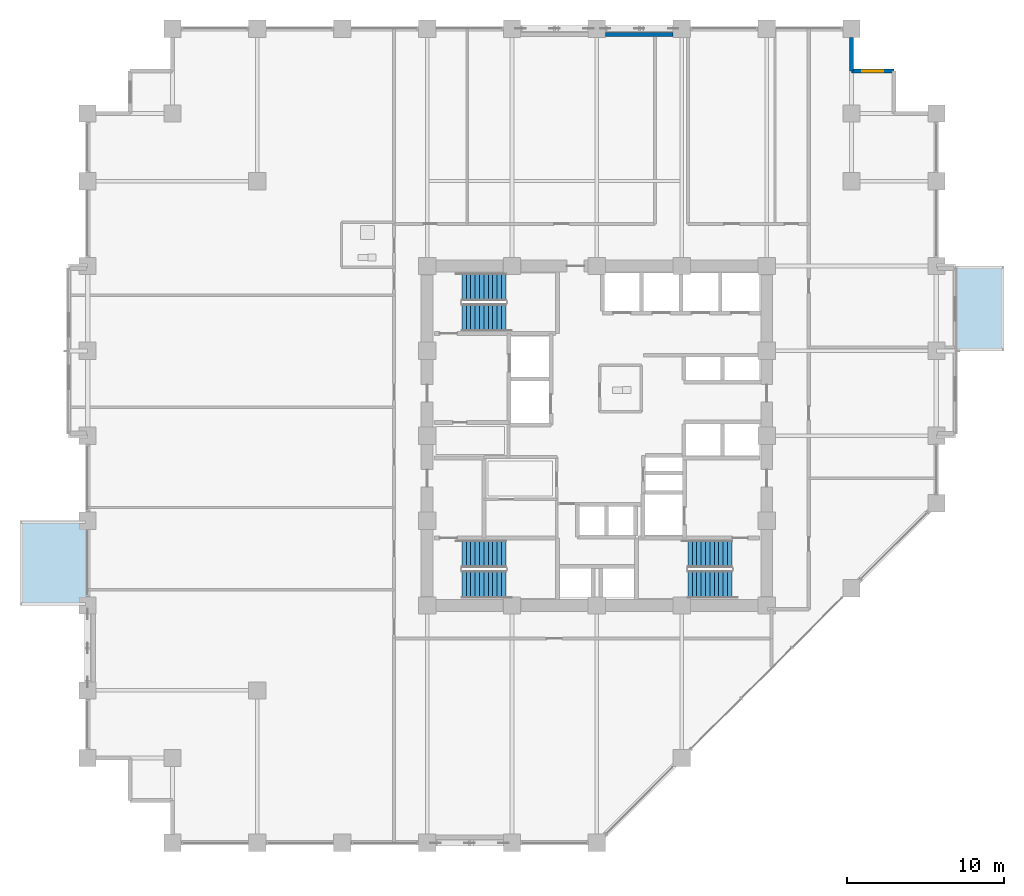
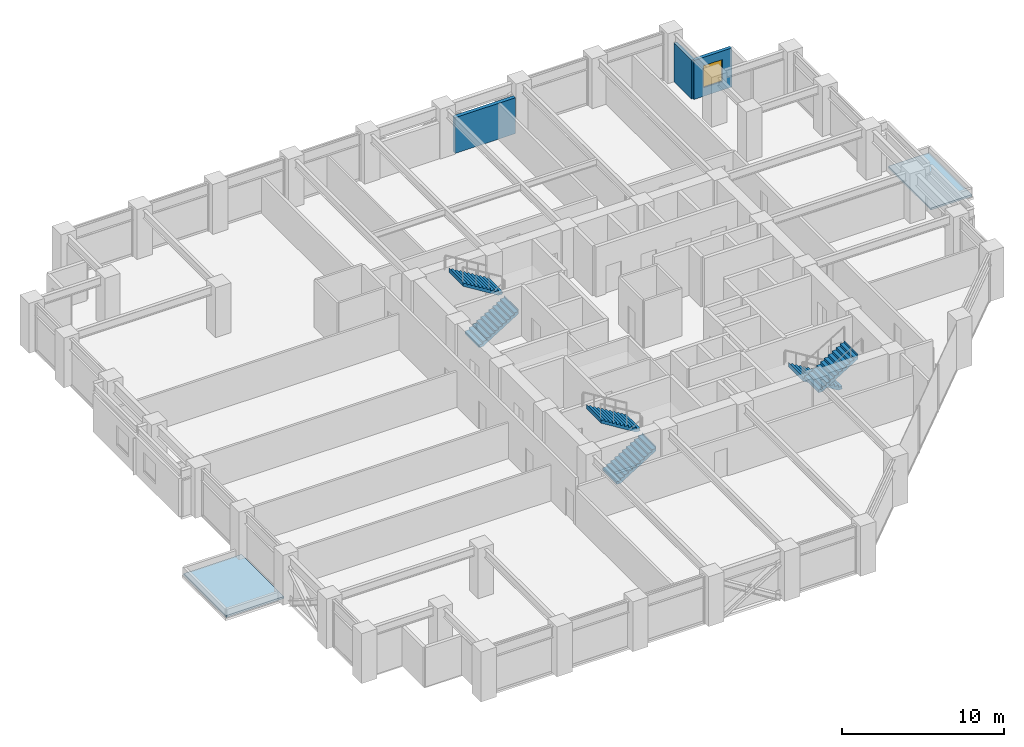
# One storey, part 22 of 25: 6 stair flights, 3 walls, 2 roofs, 1 window, 1 opening, 3 elements without a shape of their own.
"""IFC4 building model written with IfcOpenShell, lengths in metres."""

import ifcopenshell
import ifcopenshell.guid

model = None  # the IFC model being written
_history = None  # IfcOwnerHistory: only IFC2X3 demands one
_inside = {}  # id of a spatial element -> (the spatial element, [elements in it])
_under = {}  # id of a project, library or spatial element -> (it, [spatial elements below it])
_declared = {}  # id of a project -> (the project, [libraries it declares])
_typed = {}  # id of a type object -> (the type object, [elements of that type])
_made_of = {}  # id of a material, layer set ... -> (it, [elements and type objects made of it])


def new_model(schema):
    """Start an empty IFC model of exactly this schema.

    Asked for "IFC4X3", IfcOpenShell would pick the latest addendum, in which some entities
    have other attributes; the version numbers below select the first issue.
    IFC2X3 requires an IfcOwnerHistory on every rooted entity: one is made here for all.
    """
    global model, _history
    if schema == "IFC4X3":
        model = ifcopenshell.file(schema_version=(4, 3, 0, 0))
    else:
        model = ifcopenshell.file(schema=schema)
    _inside.clear()
    _under.clear()
    _declared.clear()
    _typed.clear()
    _made_of.clear()
    _history = None
    if model.schema == "IFC2X3":
        org = make("IfcOrganization", Name="unknown")
        user = make(
            "IfcPersonAndOrganization",
            ThePerson=make("IfcPerson", FamilyName="unknown"),
            TheOrganization=org,
        )
        app = make(
            "IfcApplication",
            ApplicationDeveloper=org,
            Version="unknown",
            ApplicationFullName="unknown",
            ApplicationIdentifier="unknown",
        )
        _history = make(
            "IfcOwnerHistory",
            OwningUser=user,
            OwningApplication=app,
            ChangeAction="ADDED",
            CreationDate=0,
        )
    return model


def make(cls, **values):
    """One entity of the class cls with the attributes given. An attribute that is None is left unset."""
    return model.create_entity(
        cls, **{name: value for name, value in values.items() if value is not None}
    )


def rooted(cls, **values):
    """An entity with a GlobalId (a new one), such as an element, a storey or a relation."""
    return make(cls, GlobalId=ifcopenshell.guid.new(), OwnerHistory=_history, **values)


def si_unit(unit_type, name, prefix=None):
    """IfcSIUnit, for example si_unit("LENGTHUNIT", "METRE", prefix="MILLI")."""
    return make("IfcSIUnit", UnitType=unit_type, Prefix=prefix, Name=name)


def assignment(units):
    """IfcUnitAssignment: the units of a project."""
    return None if units is None else make("IfcUnitAssignment", Units=units)


def point(xyz):
    """IfcCartesianPoint."""
    return None if xyz is None else make("IfcCartesianPoint", Coordinates=xyz)


def direction(xyz):
    """IfcDirection."""
    return None if xyz is None else make("IfcDirection", DirectionRatios=xyz)


def frame(location, z_axis=None, x_axis=None):
    """IfcAxis2Placement3D, a coordinate frame: its origin and axes. An axis left out is left unset."""
    return make(
        "IfcAxis2Placement3D",
        Location=point(location),
        Axis=direction(z_axis),
        RefDirection=direction(x_axis),
    )


def frame_2d(location, x_axis=None):
    """IfcAxis2Placement2D, a coordinate frame in the plane: its origin and x axis."""
    return make(
        "IfcAxis2Placement2D", Location=point(location), RefDirection=direction(x_axis)
    )


def origin():
    """The frame at (0, 0, 0) with its axes left unset."""
    return frame((0.0, 0.0, 0.0))


def place(relative_to, where):
    """IfcLocalPlacement: puts the frame where relative to a parent placement (None: the world)."""
    return make(
        "IfcLocalPlacement", PlacementRelTo=relative_to, RelativePlacement=where
    )


def context(
    kind, dimensions, precision=None, world=None, true_north=None, identifier=None
):
    """IfcGeometricRepresentationContext, for example the 3D "Model" context."""
    return make(
        "IfcGeometricRepresentationContext",
        ContextIdentifier=identifier,
        ContextType=kind,
        CoordinateSpaceDimension=dimensions,
        Precision=precision,
        WorldCoordinateSystem=world,
        TrueNorth=true_north,
    )


def subcontext(parent, identifier, kind, view, scale=None):
    """IfcGeometricRepresentationSubContext, for example "Body" below "Model"."""
    return make(
        "IfcGeometricRepresentationSubContext",
        ContextIdentifier=identifier,
        ContextType=kind,
        ParentContext=parent,
        TargetScale=scale,
        TargetView=view,
    )


def project(units=None, contexts=None):
    """IfcProject with its units and contexts."""
    return rooted(
        "IfcProject",
        Name="project",
        RepresentationContexts=contexts,
        UnitsInContext=assignment(units),
    )


def spatial(cls, under=None, at=None, **own):
    """A site, building, storey or space (cls), placed at a placement, below another one or the project."""
    s = rooted(cls, ObjectPlacement=at, **own)
    if under is not None:
        _under.setdefault(under.id(), (under, []))[1].append(s)
    return s


def polyline(points):
    """IfcPolyline through the points."""
    return make("IfcPolyline", Points=[point(p) for p in points])


def profile(cls, at=None, kind="AREA", **sizes):
    """A parametric profile (cls). Its sizes go by their IFC names, for example OverallWidth=200.0."""
    return make(cls, ProfileType=kind, Position=at, **sizes)


def rectangle(**sizes):
    """IfcRectangleProfileDef."""
    return profile("IfcRectangleProfileDef", **sizes)


def outline(outer, holes=None, kind="AREA"):
    """IfcArbitraryClosedProfileDef: a profile drawn as a closed curve; with holes, ...WithVoids."""
    if holes is None:
        return make("IfcArbitraryClosedProfileDef", ProfileType=kind, OuterCurve=outer)
    return make(
        "IfcArbitraryProfileDefWithVoids",
        ProfileType=kind,
        OuterCurve=outer,
        InnerCurves=holes,
    )


def extrude(swept, where, along, depth):
    """IfcExtrudedAreaSolid: the profile swept, set in the frame where, extruded along a direction by depth."""
    return make(
        "IfcExtrudedAreaSolid",
        SweptArea=swept,
        Position=where,
        ExtrudedDirection=direction(along),
        Depth=depth,
    )


def shape(context_of_items, identifier, shape_type, items):
    """IfcShapeRepresentation: the items that make up one representation, for example the "Body"."""
    return make(
        "IfcShapeRepresentation",
        ContextOfItems=context_of_items,
        RepresentationIdentifier=identifier,
        RepresentationType=shape_type,
        Items=items,
    )


def material(Name=None, Category=None):
    """IfcMaterial."""
    return make("IfcMaterial", Name=Name, Category=Category)


def layer(
    of_material, thickness, ventilated=None, Name=None, Category=None, Priority=None
):
    """IfcMaterialLayer: one layer of a wall or slab, of a material (None: an air gap)."""
    return make(
        "IfcMaterialLayer",
        Material=of_material,
        LayerThickness=thickness,
        IsVentilated=ventilated,
        Name=Name,
        Category=Category,
        Priority=Priority,
    )


def layer_set(layers, Name=None):
    """IfcMaterialLayerSet."""
    return make("IfcMaterialLayerSet", MaterialLayers=layers, LayerSetName=Name)


def made_of(thing, what):
    """Note that an element or type object is made of a material, layer set ...; save() writes the relation."""
    if what is not None:
        _made_of.setdefault(what.id(), (what, []))[1].append(thing)
    return thing


def type_object(cls, material=None, **own):
    """A type object (cls), such as IfcWallType, which elements share."""
    return made_of(rooted(cls, **own), material)


def element(
    cls,
    number,
    at=None,
    inside=None,
    cuts=None,
    type_object=None,
    material=None,
    context=None,
    identifier="Body",
    shape_type=None,
    held_by="IfcProductDefinitionShape",
    body=None,
    shapes=None,
    **own,
):
    """One element of the class cls, such as IfcWall. Its Tag is "e" and its number.

    at: its placement. inside: the storey or other place that contains it. cuts: it is an
    opening in that element (IfcRelVoidsElement). A single representation is given by context,
    identifier, shape_type and body (its items); several are given by shapes. held_by: the class
    of the entity that holds the representations. save() writes the other relations.
    """
    e = rooted(cls, Tag="e%d" % number, ObjectPlacement=at, **own)
    if body is not None:
        shapes = [shape(context, identifier, shape_type, body)]
    if shapes is not None:
        e.Representation = make(held_by, Representations=shapes)
    if inside is not None:
        _inside.setdefault(inside.id(), (inside, []))[1].append(e)
    if cuts is not None:
        rooted(
            "IfcRelVoidsElement", RelatingBuildingElement=cuts, RelatedOpeningElement=e
        )
    if type_object is not None:
        _typed.setdefault(type_object.id(), (type_object, []))[1].append(e)
    return made_of(e, material)


def fill(opening, filler):
    """IfcRelFillsElement: the door or window that sits in an opening."""
    return rooted(
        "IfcRelFillsElement",
        RelatingOpeningElement=opening,
        RelatedBuildingElement=filler,
    )


def aggregate(whole, parts):
    """IfcRelAggregates: a whole, such as a stair, and the parts it consists of."""
    return rooted("IfcRelAggregates", RelatingObject=whole, RelatedObjects=parts)


def save(model, path):
    """Write the relations noted so far, then the file.

    IfcRelAggregates (storeys below a building ...), IfcRelContainedInSpatialStructure (elements
    in a storey), IfcRelDefinesByType, IfcRelAssociatesMaterial and IfcRelDeclares: one each for
    every whole, place, type object, material and project.
    """
    for whole, parts in _under.values():
        aggregate(whole, parts)
    for where, things in _inside.values():
        rooted(
            "IfcRelContainedInSpatialStructure",
            RelatedElements=things,
            RelatingStructure=where,
        )
    for kind, things in _typed.values():
        rooted("IfcRelDefinesByType", RelatedObjects=things, RelatingType=kind)
    for what, things in _made_of.values():
        rooted("IfcRelAssociatesMaterial", RelatedObjects=things, RelatingMaterial=what)
    for by, libraries in _declared.values():
        rooted("IfcRelDeclares", RelatingContext=by, RelatedDefinitions=libraries)
    model.write(path)


model = new_model("IFC4")

# Units and contexts
model_context = context("Model", 3, precision=1e-05, world=origin(), true_north=direction((0.0, 1.0)))
body_context = subcontext(model_context, "Body", "Model", "MODEL_VIEW")
ifc_project = project(units=[si_unit("LENGTHUNIT", "METRE"), si_unit("AREAUNIT", "SQUARE_METRE"), si_unit("VOLUMEUNIT", "CUBIC_METRE"), si_unit("PLANEANGLEUNIT", "RADIAN"), si_unit("MASSUNIT", "GRAM", prefix="KILO")], contexts=[model_context])

# Site, building, storey
site_placement = place(None, origin())
site = spatial("IfcSite", under=ifc_project, at=site_placement, CompositionType="ELEMENT")
building_placement = place(site_placement, origin())
building = spatial("IfcBuilding", under=site, at=building_placement, Name="Surkhivell Harbour Commons", CompositionType="ELEMENT")
storey_placement = place(building_placement, frame((0.0, 0.0, 94.5)))
storey = spatial("IfcBuildingStorey", under=building, at=storey_placement, Name="L24", CompositionType="ELEMENT", Elevation=94.5)

# Wall
ifc_material_1 = material(Name="Pale-metal insulated precast concrete C45/55", Category="concrete")
ifc_layer_1 = layer(ifc_material_1, 0.260009765625)
ifc_layer_set_1 = layer_set([ifc_layer_1], Name="Pale-metal insulated precast concrete C45/55")
wall_type_1 = type_object("IfcWallType", Name="WAL-EXT-MTL260", PredefinedType="STANDARD", material=ifc_layer_set_1)
wall_1_placement = place(storey_placement, frame((4.85205078125, 25.5400390625, 0.0), z_axis=(0.0, 0.0, 1.0), x_axis=(-1.0, 0.0, 0.0)))
element("IfcWall", 1, at=wall_1_placement, inside=storey, type_object=wall_type_1, Name="L24 Braced-Bay Insulated Spandrel Backing N2", PredefinedType="STANDARD", context=body_context, shape_type="SweptSolid", body=[
    extrude(rectangle(XDim=4.303955078125, YDim=0.260009765625, at=frame_2d((2.15185546875, 0.0))), origin(), (0.0, 0.0, 1.0), 2.698974609375),
])

# Wall, opening, window
ifc_material_2 = material(Name="Bronze-ochre cassette precast concrete C45/55", Category="concrete")
ifc_layer_2 = layer(ifc_material_2, 0.239990234375)
ifc_layer_set_2 = layer_set([ifc_layer_2], Name="Bronze-ochre cassette precast concrete C45/55")
wall_type_2 = type_object("IfcWallType", Name="WAL-EXT-OCH240", PredefinedType="STANDARD", material=ifc_layer_set_2)
wall_2_placement = place(storey_placement, frame((18.89990234375, 23.199951171875, 0.0), z_axis=(0.0, 0.0, 1.0), x_axis=(-1.0, 0.0, 0.0)))
wall_2 = element("IfcWall", 2, at=wall_2_placement, inside=storey, type_object=wall_type_2, Name="L24 Serrated Corner Facade Wall 05", PredefinedType="STANDARD", context=body_context, shape_type="SweptSolid", body=[
    extrude(rectangle(XDim=2.699951171875, YDim=0.239990234375, at=frame_2d((1.35009765625, 0.0))), origin(), (0.0, 0.0, 1.0), 2.93310546875),
])
opening_placement = place(wall_2_placement, frame((0.675048828125, 0.0, 0.64990234375)))
opening = element("IfcOpeningElement", 3, at=opening_placement, cuts=wall_2, Name="Opening WN-08", PredefinedType="OPENING", context=body_context, shape_type="SweptSolid", body=[
    extrude(rectangle(XDim=1.35009765625, YDim=1.64990234375, at=frame_2d((0.675048828125, 0.824951171875))), frame((0.0, 0.1298828125, 0.0), z_axis=(0.0, -1.0, 0.0), x_axis=(1.0, 0.0, 0.0)), (0.0, 0.0, 1.0), 0.260009765625),
])
ifc_material_3 = material(Name="Thermal-break aluminium frame and double low-E glazing", Category="aluminium")
window_type = type_object("IfcWindowType", Name="WIN-SER-1350x1650", PartitioningType="SINGLE_PANEL", PredefinedType="WINDOW", material=ifc_material_3)
window_placement = place(opening_placement, origin())
window = element("IfcWindow", 4, at=window_placement, inside=storey, type_object=window_type, Name="L24 Serrated Alcove Window 05", OverallHeight=1.64990234375, OverallWidth=1.35009765625, PartitioningType="SINGLE_PANEL", PredefinedType="WINDOW", context=body_context, shape_type="SweptSolid", body=[
    extrude(rectangle(XDim=1.35009765625, YDim=1.64990234375, at=frame_2d((0.675048828125, 0.824951171875))), frame((0.0, 0.030029296875, 0.0), z_axis=(0.0, -1.0, 0.0), x_axis=(1.0, 0.0, 0.0)), (0.0, 0.0, 1.0), 0.06005859375),
])
fill(opening, window)

# Wall
wall_3_placement = place(storey_placement, frame((16.199951171875, 23.199951171875, 0.0), z_axis=(0.0, 0.0, 1.0), x_axis=(0.0, 1.0, 0.0)))
element("IfcWall", 5, at=wall_3_placement, inside=storey, type_object=wall_type_2, Name="L24 Serrated Corner Facade Wall 06", PredefinedType="STANDARD", context=body_context, shape_type="SweptSolid", body=[
    extrude(rectangle(XDim=2.152099609375, YDim=0.239990234375, at=frame_2d((1.076171875, 0.0))), origin(), (0.0, 0.0, 1.0), 2.93310546875),
])

# Stair, stair flights
ifc_material_4 = material(Name="Precast concrete C45/55", Category="concrete")
stair_type = type_object("IfcStairType", Name="STR-DL-375", PredefinedType="HALF_TURN_STAIR", material=ifc_material_4)
stair_1_placement = place(storey_placement, origin())
stair_1 = element("IfcStair", 6, at=stair_1_placement, inside=storey, type_object=stair_type, Name="L24 Core Exit Stair ST1", PredefinedType="HALF_TURN_STAIR")
stair_flight_type = type_object("IfcStairFlightType", Name="STF-DL-375", PredefinedType="STRAIGHT", material=ifc_material_4)
stair_flight_1_placement = place(storey_placement, frame((-8.590087890625, 7.514892578125, 0.0), z_axis=(0.0, 0.0, 1.0), x_axis=(1.0, 0.0, 0.0)))
stair_flight_1 = element("IfcStairFlight", 7, at=stair_flight_1_placement, type_object=stair_flight_type, Name="ST1 flight 1", NumberOfRisers=11, NumberOfTreads=10, PredefinedType="STRAIGHT", RiserHeight=0.170454545, TreadLength=0.28, context=body_context, shape_type="SweptSolid", body=[
    extrude(outline(polyline([(-0.0029296875, -0.034912109375), (-0.0029296875, 0.0), (0.0, 0.0), (0.0, 0.17041015625), (0.280029296875, 0.17041015625), (0.280029296875, 0.3408203125), (0.56005859375, 0.3408203125), (0.56005859375, 0.511474609375), (0.840087890625, 0.511474609375), (0.840087890625, 0.681884765625), (1.1201171875, 0.681884765625), (1.1201171875, 0.852294921875), (1.39990234375, 0.852294921875), (1.39990234375, 1.022705078125), (1.679931640625, 1.022705078125), (1.679931640625, 1.193115234375), (1.9599609375, 1.193115234375), (1.9599609375, 1.363525390625), (2.239990234375, 1.363525390625), (2.239990234375, 1.5341796875), (2.52001953125, 1.5341796875), (2.52001953125, 1.70458984375), (2.800048828125, 1.70458984375), (2.800048828125, 1.875), (2.802978515625, 1.875), (2.802978515625, 1.529052734375), (0.288330078125, -0.034912109375), (-0.0029296875, -0.034912109375)])), frame((0.0, 0.875, 0.0), z_axis=(0.0, -1.0, 0.0), x_axis=(1.0, 0.0, 0.0)), (0.0, 0.0, 1.0), 1.75),
])
stair_flight_2_placement = place(storey_placement, frame((-5.7900390625, 9.465087890625, 1.875), z_axis=(0.0, 0.0, 1.0), x_axis=(-1.0, 0.0, 0.0)))
stair_flight_2 = element("IfcStairFlight", 8, at=stair_flight_2_placement, type_object=stair_flight_type, Name="ST1 flight 2", NumberOfRisers=11, NumberOfTreads=10, PredefinedType="STRAIGHT", RiserHeight=0.170454545, TreadLength=0.28, context=body_context, shape_type="SweptSolid", body=[
    extrude(outline(polyline([(-0.0029296875, -0.034912109375), (-0.0029296875, 0.0), (0.0, 0.0), (0.0, 0.17041015625), (0.280029296875, 0.17041015625), (0.280029296875, 0.3408203125), (0.56005859375, 0.3408203125), (0.56005859375, 0.511474609375), (0.840087890625, 0.511474609375), (0.840087890625, 0.681884765625), (1.1201171875, 0.681884765625), (1.1201171875, 0.852294921875), (1.39990234375, 0.852294921875), (1.39990234375, 1.022705078125), (1.679931640625, 1.022705078125), (1.679931640625, 1.193115234375), (1.9599609375, 1.193115234375), (1.9599609375, 1.363525390625), (2.239990234375, 1.363525390625), (2.239990234375, 1.5341796875), (2.52001953125, 1.5341796875), (2.52001953125, 1.70458984375), (2.800048828125, 1.70458984375), (2.800048828125, 1.875), (2.802978515625, 1.875), (2.802978515625, 1.529052734375), (0.288330078125, -0.034912109375), (-0.0029296875, -0.034912109375)])), frame((0.0, 0.875, 0.0), z_axis=(0.0, -1.0, 0.0), x_axis=(1.0, 0.0, 0.0)), (0.0, 0.0, 1.0), 1.75),
])
aggregate(stair_1, [stair_flight_1, stair_flight_2])

stair_2_placement = place(storey_placement, origin())
stair_2 = element("IfcStair", 9, at=stair_2_placement, inside=storey, type_object=stair_type, Name="L24 Core Exit Stair ST2", PredefinedType="HALF_TURN_STAIR")
stair_flight_3_placement = place(storey_placement, frame((8.590087890625, -7.514892578125, 0.0), z_axis=(0.0, 0.0, 1.0), x_axis=(-1.0, 0.0, 0.0)))
stair_flight_3 = element("IfcStairFlight", 10, at=stair_flight_3_placement, type_object=stair_flight_type, Name="ST2 flight 1", NumberOfRisers=11, NumberOfTreads=10, PredefinedType="STRAIGHT", RiserHeight=0.170454545, TreadLength=0.28, context=body_context, shape_type="SweptSolid", body=[
    extrude(outline(polyline([(-0.0029296875, -0.034912109375), (-0.0029296875, 0.0), (0.0, 0.0), (0.0, 0.17041015625), (0.280029296875, 0.17041015625), (0.280029296875, 0.3408203125), (0.56005859375, 0.3408203125), (0.56005859375, 0.511474609375), (0.840087890625, 0.511474609375), (0.840087890625, 0.681884765625), (1.1201171875, 0.681884765625), (1.1201171875, 0.852294921875), (1.39990234375, 0.852294921875), (1.39990234375, 1.022705078125), (1.679931640625, 1.022705078125), (1.679931640625, 1.193115234375), (1.9599609375, 1.193115234375), (1.9599609375, 1.363525390625), (2.239990234375, 1.363525390625), (2.239990234375, 1.5341796875), (2.52001953125, 1.5341796875), (2.52001953125, 1.70458984375), (2.800048828125, 1.70458984375), (2.800048828125, 1.875), (2.802978515625, 1.875), (2.802978515625, 1.529052734375), (0.288330078125, -0.034912109375), (-0.0029296875, -0.034912109375)])), frame((0.0, 0.875, 0.0), z_axis=(0.0, -1.0, 0.0), x_axis=(1.0, 0.0, 0.0)), (0.0, 0.0, 1.0), 1.75),
])
stair_flight_4_placement = place(storey_placement, frame((5.7900390625, -9.465087890625, 1.875), z_axis=(0.0, 0.0, 1.0), x_axis=(1.0, 0.0, 0.0)))
stair_flight_4 = element("IfcStairFlight", 11, at=stair_flight_4_placement, type_object=stair_flight_type, Name="ST2 flight 2", NumberOfRisers=11, NumberOfTreads=10, PredefinedType="STRAIGHT", RiserHeight=0.170454545, TreadLength=0.28, context=body_context, shape_type="SweptSolid", body=[
    extrude(outline(polyline([(-0.0029296875, -0.034912109375), (-0.0029296875, 0.0), (0.0, 0.0), (0.0, 0.17041015625), (0.280029296875, 0.17041015625), (0.280029296875, 0.3408203125), (0.56005859375, 0.3408203125), (0.56005859375, 0.511474609375), (0.840087890625, 0.511474609375), (0.840087890625, 0.681884765625), (1.1201171875, 0.681884765625), (1.1201171875, 0.852294921875), (1.39990234375, 0.852294921875), (1.39990234375, 1.022705078125), (1.679931640625, 1.022705078125), (1.679931640625, 1.193115234375), (1.9599609375, 1.193115234375), (1.9599609375, 1.363525390625), (2.239990234375, 1.363525390625), (2.239990234375, 1.5341796875), (2.52001953125, 1.5341796875), (2.52001953125, 1.70458984375), (2.800048828125, 1.70458984375), (2.800048828125, 1.875), (2.802978515625, 1.875), (2.802978515625, 1.529052734375), (0.288330078125, -0.034912109375), (-0.0029296875, -0.034912109375)])), frame((0.0, 0.875, 0.0), z_axis=(0.0, -1.0, 0.0), x_axis=(1.0, 0.0, 0.0)), (0.0, 0.0, 1.0), 1.75),
])
aggregate(stair_2, [stair_flight_3, stair_flight_4])

stair_3_placement = place(storey_placement, origin())
stair_3 = element("IfcStair", 12, at=stair_3_placement, inside=storey, type_object=stair_type, Name="L24 Core Exit Stair ST3", PredefinedType="HALF_TURN_STAIR")
stair_flight_5_placement = place(storey_placement, frame((-8.590087890625, -9.465087890625, 0.0), z_axis=(0.0, 0.0, 1.0), x_axis=(1.0, 0.0, 0.0)))
stair_flight_5 = element("IfcStairFlight", 13, at=stair_flight_5_placement, type_object=stair_flight_type, Name="ST3 flight 1", NumberOfRisers=11, NumberOfTreads=10, PredefinedType="STRAIGHT", RiserHeight=0.170454545, TreadLength=0.28, context=body_context, shape_type="SweptSolid", body=[
    extrude(outline(polyline([(-0.0029296875, -0.034912109375), (-0.0029296875, 0.0), (0.0, 0.0), (0.0, 0.17041015625), (0.280029296875, 0.17041015625), (0.280029296875, 0.3408203125), (0.56005859375, 0.3408203125), (0.56005859375, 0.511474609375), (0.840087890625, 0.511474609375), (0.840087890625, 0.681884765625), (1.1201171875, 0.681884765625), (1.1201171875, 0.852294921875), (1.39990234375, 0.852294921875), (1.39990234375, 1.022705078125), (1.679931640625, 1.022705078125), (1.679931640625, 1.193115234375), (1.9599609375, 1.193115234375), (1.9599609375, 1.363525390625), (2.239990234375, 1.363525390625), (2.239990234375, 1.5341796875), (2.52001953125, 1.5341796875), (2.52001953125, 1.70458984375), (2.800048828125, 1.70458984375), (2.800048828125, 1.875), (2.802978515625, 1.875), (2.802978515625, 1.529052734375), (0.288330078125, -0.034912109375), (-0.0029296875, -0.034912109375)])), frame((0.0, 0.875, 0.0), z_axis=(0.0, -1.0, 0.0), x_axis=(1.0, 0.0, 0.0)), (0.0, 0.0, 1.0), 1.75),
])
stair_flight_6_placement = place(storey_placement, frame((-5.7900390625, -7.514892578125, 1.875), z_axis=(0.0, 0.0, 1.0), x_axis=(-1.0, 0.0, 0.0)))
stair_flight_6 = element("IfcStairFlight", 14, at=stair_flight_6_placement, type_object=stair_flight_type, Name="ST3 flight 2", NumberOfRisers=11, NumberOfTreads=10, PredefinedType="STRAIGHT", RiserHeight=0.170454545, TreadLength=0.28, context=body_context, shape_type="SweptSolid", body=[
    extrude(outline(polyline([(-0.0029296875, -0.034912109375), (-0.0029296875, 0.0), (0.0, 0.0), (0.0, 0.17041015625), (0.280029296875, 0.17041015625), (0.280029296875, 0.3408203125), (0.56005859375, 0.3408203125), (0.56005859375, 0.511474609375), (0.840087890625, 0.511474609375), (0.840087890625, 0.681884765625), (1.1201171875, 0.681884765625), (1.1201171875, 0.852294921875), (1.39990234375, 0.852294921875), (1.39990234375, 1.022705078125), (1.679931640625, 1.022705078125), (1.679931640625, 1.193115234375), (1.9599609375, 1.193115234375), (1.9599609375, 1.363525390625), (2.239990234375, 1.363525390625), (2.239990234375, 1.5341796875), (2.52001953125, 1.5341796875), (2.52001953125, 1.70458984375), (2.800048828125, 1.70458984375), (2.800048828125, 1.875), (2.802978515625, 1.875), (2.802978515625, 1.529052734375), (0.288330078125, -0.034912109375), (-0.0029296875, -0.034912109375)])), frame((0.0, 0.875, 0.0), z_axis=(0.0, -1.0, 0.0), x_axis=(1.0, 0.0, 0.0)), (0.0, 0.0, 1.0), 1.75),
])
aggregate(stair_3, [stair_flight_5, stair_flight_6])

# Roofs
ifc_material_5 = material(Name="Vermilion-coral and saffron enamelled aluminium box roof cap", Category="aluminium")
ifc_layer_3 = layer(ifc_material_5, 0.139892578125)
ifc_layer_set_3 = layer_set([ifc_layer_3], Name="Vermilion-coral and saffron enamelled aluminium box roof cap")
roof_type = type_object("IfcRoofType", Name="ROF-BOX-CAP", PredefinedType="FLAT_ROOF", material=ifc_layer_set_3)
roof_1_placement = place(storey_placement, origin())
element("IfcRoof", 15, at=roof_1_placement, inside=storey, type_object=roof_type, Name="L24 Closed Coloured Box Roof Cap 1-1", PredefinedType="FLAT_ROOF", context=body_context, shape_type="SweptSolid", body=[
    extrude(outline(polyline([(22.89990234375, 10.719970703125), (22.89990234375, 5.47998046875), (25.820068359375, 5.47998046875), (25.820068359375, 10.719970703125), (22.89990234375, 10.719970703125)])), origin(), (0.0, 0.0, 1.0), 0.139892578125),
])
roof_2_placement = place(storey_placement, origin())
element("IfcRoof", 16, at=roof_2_placement, inside=storey, type_object=roof_type, Name="L24 Closed Coloured Box Roof Cap 2-1", PredefinedType="FLAT_ROOF", context=body_context, shape_type="SweptSolid", body=[
    extrude(outline(polyline([(-32.5, -10.719970703125), (-32.5, -5.47998046875), (-36.6201171875, -5.47998046875), (-36.6201171875, -10.719970703125), (-32.5, -10.719970703125)])), origin(), (0.0, 0.0, 1.0), 0.139892578125),
])

save(model, "model.ifc")
